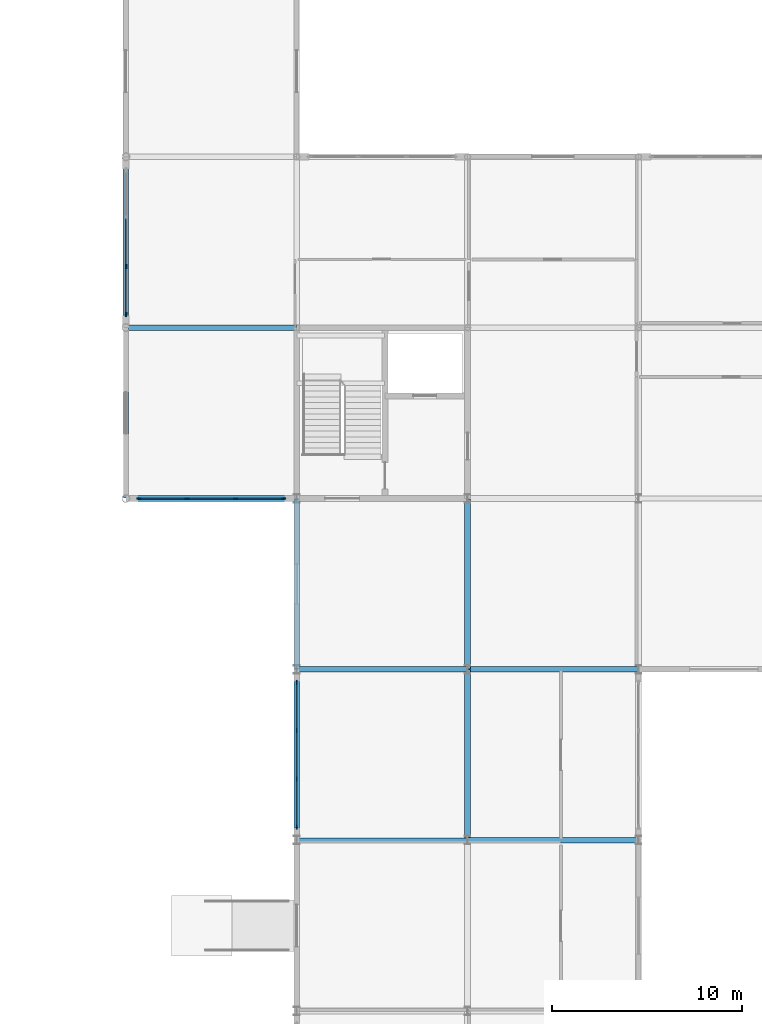
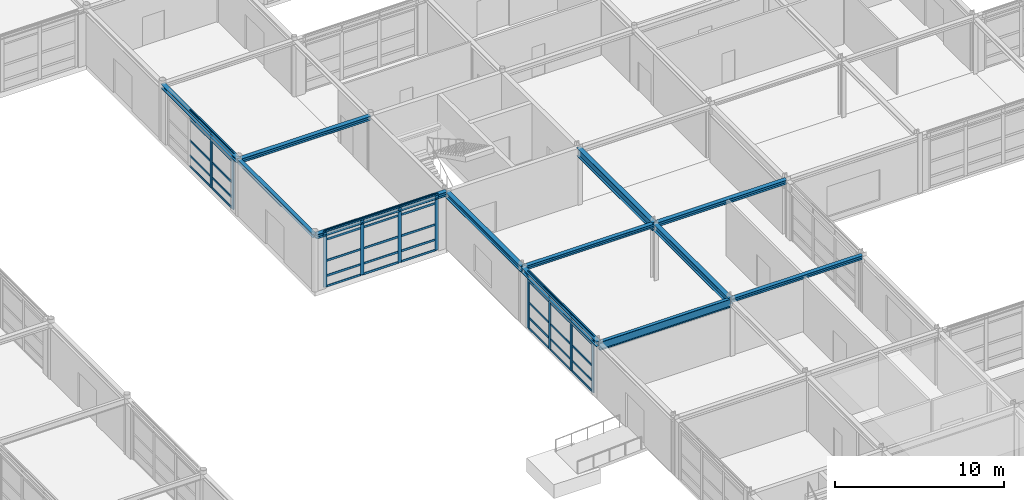
# One storey, part 28 of 72: 50 members, 12 beams, 3 elements without a shape of their own.
"""IFC4 building model written with IfcOpenShell, lengths in metres."""

from ifc_helpers import new_model, si_unit, direction, frame, origin, origin_2d, place, context, subcontext, project, spatial, rectangle, i_section, extrude, material, material_profile, profile_set, type_object, element, aggregate, save


model = new_model("IFC4")

# Units and contexts
model_context = context("Model", 3, precision=1e-05, world=origin(), true_north=direction((0.0, 1.0)))
body_context = subcontext(model_context, "Body", "Model", "MODEL_VIEW")
ifc_project = project(units=[si_unit("LENGTHUNIT", "METRE"), si_unit("AREAUNIT", "SQUARE_METRE"), si_unit("VOLUMEUNIT", "CUBIC_METRE"), si_unit("PLANEANGLEUNIT", "RADIAN"), si_unit("MASSUNIT", "GRAM", prefix="KILO")], contexts=[model_context])

# Site, building, storey
site_placement = place(None, origin())
site = spatial("IfcSite", under=ifc_project, at=site_placement, CompositionType="ELEMENT")
building_placement = place(site_placement, origin())
building = spatial("IfcBuilding", under=site, at=building_placement, Name="Palais des Congres Ocreval", CompositionType="ELEMENT")
storey_placement = place(building_placement, origin())
storey = spatial("IfcBuildingStorey", under=building, at=storey_placement, Name="L00", CompositionType="ELEMENT", Elevation=0.0)

# Beam
ifc_material_1 = material(Name="Steel S355", Category="steel")
ifc_material_profile_1 = material_profile(ifc_material_1, i_section(OverallWidth=0.219970703125, OverallDepth=0.60009765625, WebThickness=0.011962890625, FlangeThickness=0.01904296875, at=origin_2d()), Name="IPE 600")
ifc_profile_set_1 = profile_set([ifc_material_profile_1], Name="Steel S355")
beam_type_1 = type_object("IfcBeamType", Name="Composite Beam IPE 600 Steel S355", PredefinedType="BEAM", material=ifc_profile_set_1)
beam_1_placement = place(storey_placement, frame((108.02001953125, 27.0, 3.7548828125), z_axis=(1.0, 0.0, 0.0), x_axis=(0.0, 1.0, 0.0)))
element("IfcBeam", 1, at=beam_1_placement, inside=storey, type_object=beam_type_1, Name="Beam B06 L00", PredefinedType="BEAM", context=body_context, shape_type="SweptSolid", body=[
    extrude(i_section(OverallWidth=0.219970703125, OverallDepth=0.60009765625, WebThickness=0.011962890625, FlangeThickness=0.01904296875, at=origin_2d()), origin(), (0.0, 0.0, 1.0), 8.9599609375),
])

# Curtain wall, members
ifc_material_2 = material(Name="Anodized bronze aluminium and low-E glass", Category="glass")
curtain_wall_type = type_object("IfcCurtainWallType", Name="Unitised Curtain Wall 7900x4060", PredefinedType="USERDEFINED", material=ifc_material_2)
curtain_wall_1_placement = place(storey_placement, origin())
curtain_wall_1 = element("IfcCurtainWall", 2, at=curtain_wall_1_placement, inside=storey, type_object=curtain_wall_type, Name="Unitised Curtain Wall CW01 L00", ObjectType="UNITISED CURTAIN WALL", PredefinedType="USERDEFINED")
ifc_material_3 = material(Name="Anodized bronze aluminium", Category="aluminium")
ifc_material_profile_2 = material_profile(ifc_material_3, rectangle(XDim=0.074951171875, YDim=0.239990234375, at=origin_2d()), Name="ALU 75x240")
ifc_profile_set_2 = profile_set([ifc_material_profile_2], Name="Anodized bronze aluminium")
member_type_1 = type_object("IfcMemberType", Name="Curtain Wall Mullion ALU 75x240", PredefinedType="MULLION", material=ifc_profile_set_2)
member_1_placement = place(storey_placement, frame((108.0, 27.6875, 0.0), z_axis=(0.0, 0.0, 1.0), x_axis=(-1.0, 0.0, 0.0)))
member_1 = element("IfcMember", 3, at=member_1_placement, type_object=member_type_1, Name="Curtain Wall Mullion ML01", PredefinedType="MULLION", context=body_context, shape_type="SweptSolid", body=[
    extrude(rectangle(XDim=0.074951171875, YDim=0.239990234375, at=origin_2d()), origin(), (0.0, 0.0, 1.0), 4.054931640625),
])
member_2_placement = place(storey_placement, frame((108.0, 30.216796875, 0.0), z_axis=(0.0, 0.0, 1.0), x_axis=(-1.0, 0.0, 0.0)))
member_2 = element("IfcMember", 4, at=member_2_placement, type_object=member_type_1, Name="Curtain Wall Mullion ML01", PredefinedType="MULLION", context=body_context, shape_type="SweptSolid", body=[
    extrude(rectangle(XDim=0.074951171875, YDim=0.239990234375, at=origin_2d()), origin(), (0.0, 0.0, 1.0), 4.054931640625),
])
member_3_placement = place(storey_placement, frame((108.0, 32.783203125, 0.0), z_axis=(0.0, 0.0, 1.0), x_axis=(-1.0, 0.0, 0.0)))
member_3 = element("IfcMember", 5, at=member_3_placement, type_object=member_type_1, Name="Curtain Wall Mullion ML01", PredefinedType="MULLION", context=body_context, shape_type="SweptSolid", body=[
    extrude(rectangle(XDim=0.074951171875, YDim=0.239990234375, at=origin_2d()), origin(), (0.0, 0.0, 1.0), 4.054931640625),
])
member_4_placement = place(storey_placement, frame((108.0, 35.3125, 0.0), z_axis=(0.0, 0.0, 1.0), x_axis=(-1.0, 0.0, 0.0)))
member_4 = element("IfcMember", 6, at=member_4_placement, type_object=member_type_1, Name="Curtain Wall Mullion ML01", PredefinedType="MULLION", context=body_context, shape_type="SweptSolid", body=[
    extrude(rectangle(XDim=0.074951171875, YDim=0.239990234375, at=origin_2d()), origin(), (0.0, 0.0, 1.0), 4.054931640625),
])

curtain_wall_2_placement = place(storey_placement, origin())
curtain_wall_2 = element("IfcCurtainWall", 7, at=curtain_wall_2_placement, inside=storey, type_object=curtain_wall_type, Name="Unitised Curtain Wall CW01 L00", ObjectType="UNITISED CURTAIN WALL", PredefinedType="USERDEFINED")
member_5_placement = place(storey_placement, frame((107.3125, 45.0, 0.0), z_axis=(0.0, 0.0, 1.0), x_axis=(0.0, -1.0, 0.0)))
member_5 = element("IfcMember", 8, at=member_5_placement, type_object=member_type_1, Name="Curtain Wall Mullion ML01", PredefinedType="MULLION", context=body_context, shape_type="SweptSolid", body=[
    extrude(rectangle(XDim=0.074951171875, YDim=0.239990234375, at=origin_2d()), origin(), (0.0, 0.0, 1.0), 4.054931640625),
])
member_6_placement = place(storey_placement, frame((104.783203125, 45.0, 0.0), z_axis=(0.0, 0.0, 1.0), x_axis=(0.0, -1.0, 0.0)))
member_6 = element("IfcMember", 9, at=member_6_placement, type_object=member_type_1, Name="Curtain Wall Mullion ML01", PredefinedType="MULLION", context=body_context, shape_type="SweptSolid", body=[
    extrude(rectangle(XDim=0.074951171875, YDim=0.239990234375, at=origin_2d()), origin(), (0.0, 0.0, 1.0), 4.054931640625),
])
member_7_placement = place(storey_placement, frame((102.216796875, 45.0, 0.0), z_axis=(0.0, 0.0, 1.0), x_axis=(0.0, -1.0, 0.0)))
member_7 = element("IfcMember", 10, at=member_7_placement, type_object=member_type_1, Name="Curtain Wall Mullion ML01", PredefinedType="MULLION", context=body_context, shape_type="SweptSolid", body=[
    extrude(rectangle(XDim=0.074951171875, YDim=0.239990234375, at=origin_2d()), origin(), (0.0, 0.0, 1.0), 4.054931640625),
])
member_8_placement = place(storey_placement, frame((99.6875, 45.0, 0.0), z_axis=(0.0, 0.0, 1.0), x_axis=(0.0, -1.0, 0.0)))
member_8 = element("IfcMember", 11, at=member_8_placement, type_object=member_type_1, Name="Curtain Wall Mullion ML01", PredefinedType="MULLION", context=body_context, shape_type="SweptSolid", body=[
    extrude(rectangle(XDim=0.074951171875, YDim=0.239990234375, at=origin_2d()), origin(), (0.0, 0.0, 1.0), 4.054931640625),
])

curtain_wall_3_placement = place(storey_placement, origin())
curtain_wall_3 = element("IfcCurtainWall", 12, at=curtain_wall_3_placement, inside=storey, type_object=curtain_wall_type, Name="Unitised Curtain Wall CW01 L00", ObjectType="UNITISED CURTAIN WALL", PredefinedType="USERDEFINED")
member_9_placement = place(storey_placement, frame((99.0, 54.6875, 0.0), z_axis=(0.0, 0.0, 1.0), x_axis=(-1.0, 0.0, 0.0)))
member_9 = element("IfcMember", 13, at=member_9_placement, type_object=member_type_1, Name="Curtain Wall Mullion ML01", PredefinedType="MULLION", context=body_context, shape_type="SweptSolid", body=[
    extrude(rectangle(XDim=0.074951171875, YDim=0.239990234375, at=origin_2d()), origin(), (0.0, 0.0, 1.0), 4.054931640625),
])
member_10_placement = place(storey_placement, frame((99.0, 57.216796875, 0.0), z_axis=(0.0, 0.0, 1.0), x_axis=(-1.0, 0.0, 0.0)))
member_10 = element("IfcMember", 14, at=member_10_placement, type_object=member_type_1, Name="Curtain Wall Mullion ML01", PredefinedType="MULLION", context=body_context, shape_type="SweptSolid", body=[
    extrude(rectangle(XDim=0.074951171875, YDim=0.239990234375, at=origin_2d()), origin(), (0.0, 0.0, 1.0), 4.054931640625),
])

# Member
ifc_material_profile_3 = material_profile(ifc_material_3, rectangle(XDim=0.06005859375, YDim=0.14990234375, at=origin_2d()), Name="ALU 60x150")
ifc_profile_set_3 = profile_set([ifc_material_profile_3], Name="Anodized bronze aluminium")
member_type_2 = type_object("IfcMemberType", Name="Curtain Wall Transom ALU 60x150", PredefinedType="USERDEFINED", material=ifc_profile_set_3)
member_11_placement = place(storey_placement, frame((108.0, 27.72509765625, 0.030029296875), z_axis=(0.0, 1.0, 0.0), x_axis=(-1.0, 0.0, 0.0)))
member_11 = element("IfcMember", 15, at=member_11_placement, type_object=member_type_2, Name="Curtain Wall Transom TR01", ObjectType="TRANSOM", PredefinedType="USERDEFINED", context=body_context, shape_type="SweptSolid", body=[
    extrude(rectangle(XDim=0.06005859375, YDim=0.14990234375, at=origin_2d()), origin(), (0.0, 0.0, 1.0), 2.4541015625),
])

member_12_placement = place(storey_placement, frame((108.0, 27.72509765625, 0.780029296875), z_axis=(0.0, 1.0, 0.0), x_axis=(-1.0, 0.0, 0.0)))
member_12 = element("IfcMember", 16, at=member_12_placement, type_object=member_type_2, Name="Curtain Wall Transom TR01", ObjectType="TRANSOM", PredefinedType="USERDEFINED", context=body_context, shape_type="SweptSolid", body=[
    extrude(rectangle(XDim=0.06005859375, YDim=0.14990234375, at=origin_2d()), origin(), (0.0, 0.0, 1.0), 2.4541015625),
])

member_13_placement = place(storey_placement, frame((108.0, 27.72509765625, 1.872802734375), z_axis=(0.0, 1.0, 0.0), x_axis=(-1.0, 0.0, 0.0)))
member_13 = element("IfcMember", 17, at=member_13_placement, type_object=member_type_2, Name="Curtain Wall Transom TR01", ObjectType="TRANSOM", PredefinedType="USERDEFINED", context=body_context, shape_type="SweptSolid", body=[
    extrude(rectangle(XDim=0.06005859375, YDim=0.14990234375, at=origin_2d()), origin(), (0.0, 0.0, 1.0), 2.4541015625),
])

member_14_placement = place(storey_placement, frame((108.0, 27.72509765625, 3.405029296875), z_axis=(0.0, 1.0, 0.0), x_axis=(-1.0, 0.0, 0.0)))
member_14 = element("IfcMember", 18, at=member_14_placement, type_object=member_type_2, Name="Curtain Wall Transom TR01", ObjectType="TRANSOM", PredefinedType="USERDEFINED", context=body_context, shape_type="SweptSolid", body=[
    extrude(rectangle(XDim=0.06005859375, YDim=0.14990234375, at=origin_2d()), origin(), (0.0, 0.0, 1.0), 2.4541015625),
])

member_15_placement = place(storey_placement, frame((108.0, 27.72509765625, 4.02490234375), z_axis=(0.0, 1.0, 0.0), x_axis=(-1.0, 0.0, 0.0)))
member_15 = element("IfcMember", 19, at=member_15_placement, type_object=member_type_2, Name="Curtain Wall Transom TR01", ObjectType="TRANSOM", PredefinedType="USERDEFINED", context=body_context, shape_type="SweptSolid", body=[
    extrude(rectangle(XDim=0.06005859375, YDim=0.14990234375, at=origin_2d()), origin(), (0.0, 0.0, 1.0), 2.4541015625),
])

member_16_placement = place(storey_placement, frame((108.0, 30.254150390625, 0.030029296875), z_axis=(0.0, 1.0, 0.0), x_axis=(-1.0, 0.0, 0.0)))
member_16 = element("IfcMember", 20, at=member_16_placement, type_object=member_type_2, Name="Curtain Wall Transom TR01", ObjectType="TRANSOM", PredefinedType="USERDEFINED", context=body_context, shape_type="SweptSolid", body=[
    extrude(rectangle(XDim=0.06005859375, YDim=0.14990234375, at=origin_2d()), origin(), (0.0, 0.0, 1.0), 2.49169921875),
])

member_17_placement = place(storey_placement, frame((108.0, 30.254150390625, 0.780029296875), z_axis=(0.0, 1.0, 0.0), x_axis=(-1.0, 0.0, 0.0)))
member_17 = element("IfcMember", 21, at=member_17_placement, type_object=member_type_2, Name="Curtain Wall Transom TR01", ObjectType="TRANSOM", PredefinedType="USERDEFINED", context=body_context, shape_type="SweptSolid", body=[
    extrude(rectangle(XDim=0.06005859375, YDim=0.14990234375, at=origin_2d()), origin(), (0.0, 0.0, 1.0), 2.49169921875),
])

member_18_placement = place(storey_placement, frame((108.0, 30.254150390625, 1.872802734375), z_axis=(0.0, 1.0, 0.0), x_axis=(-1.0, 0.0, 0.0)))
member_18 = element("IfcMember", 22, at=member_18_placement, type_object=member_type_2, Name="Curtain Wall Transom TR01", ObjectType="TRANSOM", PredefinedType="USERDEFINED", context=body_context, shape_type="SweptSolid", body=[
    extrude(rectangle(XDim=0.06005859375, YDim=0.14990234375, at=origin_2d()), origin(), (0.0, 0.0, 1.0), 2.49169921875),
])

member_19_placement = place(storey_placement, frame((108.0, 30.254150390625, 3.405029296875), z_axis=(0.0, 1.0, 0.0), x_axis=(-1.0, 0.0, 0.0)))
member_19 = element("IfcMember", 23, at=member_19_placement, type_object=member_type_2, Name="Curtain Wall Transom TR01", ObjectType="TRANSOM", PredefinedType="USERDEFINED", context=body_context, shape_type="SweptSolid", body=[
    extrude(rectangle(XDim=0.06005859375, YDim=0.14990234375, at=origin_2d()), origin(), (0.0, 0.0, 1.0), 2.49169921875),
])

member_20_placement = place(storey_placement, frame((108.0, 30.254150390625, 4.02490234375), z_axis=(0.0, 1.0, 0.0), x_axis=(-1.0, 0.0, 0.0)))
member_20 = element("IfcMember", 24, at=member_20_placement, type_object=member_type_2, Name="Curtain Wall Transom TR01", ObjectType="TRANSOM", PredefinedType="USERDEFINED", context=body_context, shape_type="SweptSolid", body=[
    extrude(rectangle(XDim=0.06005859375, YDim=0.14990234375, at=origin_2d()), origin(), (0.0, 0.0, 1.0), 2.49169921875),
])

member_21_placement = place(storey_placement, frame((108.0, 32.82080078125, 0.030029296875), z_axis=(0.0, 1.0, 0.0), x_axis=(-1.0, 0.0, 0.0)))
member_21 = element("IfcMember", 25, at=member_21_placement, type_object=member_type_2, Name="Curtain Wall Transom TR01", ObjectType="TRANSOM", PredefinedType="USERDEFINED", context=body_context, shape_type="SweptSolid", body=[
    extrude(rectangle(XDim=0.06005859375, YDim=0.14990234375, at=origin_2d()), origin(), (0.0, 0.0, 1.0), 2.4541015625),
])

member_22_placement = place(storey_placement, frame((108.0, 32.82080078125, 0.780029296875), z_axis=(0.0, 1.0, 0.0), x_axis=(-1.0, 0.0, 0.0)))
member_22 = element("IfcMember", 26, at=member_22_placement, type_object=member_type_2, Name="Curtain Wall Transom TR01", ObjectType="TRANSOM", PredefinedType="USERDEFINED", context=body_context, shape_type="SweptSolid", body=[
    extrude(rectangle(XDim=0.06005859375, YDim=0.14990234375, at=origin_2d()), origin(), (0.0, 0.0, 1.0), 2.4541015625),
])

member_23_placement = place(storey_placement, frame((108.0, 32.82080078125, 1.872802734375), z_axis=(0.0, 1.0, 0.0), x_axis=(-1.0, 0.0, 0.0)))
member_23 = element("IfcMember", 27, at=member_23_placement, type_object=member_type_2, Name="Curtain Wall Transom TR01", ObjectType="TRANSOM", PredefinedType="USERDEFINED", context=body_context, shape_type="SweptSolid", body=[
    extrude(rectangle(XDim=0.06005859375, YDim=0.14990234375, at=origin_2d()), origin(), (0.0, 0.0, 1.0), 2.4541015625),
])

member_24_placement = place(storey_placement, frame((108.0, 32.82080078125, 3.405029296875), z_axis=(0.0, 1.0, 0.0), x_axis=(-1.0, 0.0, 0.0)))
member_24 = element("IfcMember", 28, at=member_24_placement, type_object=member_type_2, Name="Curtain Wall Transom TR01", ObjectType="TRANSOM", PredefinedType="USERDEFINED", context=body_context, shape_type="SweptSolid", body=[
    extrude(rectangle(XDim=0.06005859375, YDim=0.14990234375, at=origin_2d()), origin(), (0.0, 0.0, 1.0), 2.4541015625),
])

member_25_placement = place(storey_placement, frame((108.0, 32.82080078125, 4.02490234375), z_axis=(0.0, 1.0, 0.0), x_axis=(-1.0, 0.0, 0.0)))
member_25 = element("IfcMember", 29, at=member_25_placement, type_object=member_type_2, Name="Curtain Wall Transom TR01", ObjectType="TRANSOM", PredefinedType="USERDEFINED", context=body_context, shape_type="SweptSolid", body=[
    extrude(rectangle(XDim=0.06005859375, YDim=0.14990234375, at=origin_2d()), origin(), (0.0, 0.0, 1.0), 2.4541015625),
])

aggregate(curtain_wall_1, [member_1, member_2, member_3, member_4, member_11, member_12, member_13, member_14, member_15, member_16, member_17, member_18, member_19, member_20, member_21, member_22, member_23, member_24, member_25])

member_26_placement = place(storey_placement, frame((107.27490234375, 45.0, 0.030029296875), z_axis=(-1.0, 0.0, 0.0), x_axis=(0.0, -1.0, 0.0)))
member_26 = element("IfcMember", 30, at=member_26_placement, type_object=member_type_2, Name="Curtain Wall Transom TR01", ObjectType="TRANSOM", PredefinedType="USERDEFINED", context=body_context, shape_type="SweptSolid", body=[
    extrude(rectangle(XDim=0.06005859375, YDim=0.14990234375, at=origin_2d()), origin(), (0.0, 0.0, 1.0), 2.4541015625),
])

member_27_placement = place(storey_placement, frame((107.27490234375, 45.0, 0.780029296875), z_axis=(-1.0, 0.0, 0.0), x_axis=(0.0, -1.0, 0.0)))
member_27 = element("IfcMember", 31, at=member_27_placement, type_object=member_type_2, Name="Curtain Wall Transom TR01", ObjectType="TRANSOM", PredefinedType="USERDEFINED", context=body_context, shape_type="SweptSolid", body=[
    extrude(rectangle(XDim=0.06005859375, YDim=0.14990234375, at=origin_2d()), origin(), (0.0, 0.0, 1.0), 2.4541015625),
])

member_28_placement = place(storey_placement, frame((107.27490234375, 45.0, 1.872802734375), z_axis=(-1.0, 0.0, 0.0), x_axis=(0.0, -1.0, 0.0)))
member_28 = element("IfcMember", 32, at=member_28_placement, type_object=member_type_2, Name="Curtain Wall Transom TR01", ObjectType="TRANSOM", PredefinedType="USERDEFINED", context=body_context, shape_type="SweptSolid", body=[
    extrude(rectangle(XDim=0.06005859375, YDim=0.14990234375, at=origin_2d()), origin(), (0.0, 0.0, 1.0), 2.4541015625),
])

member_29_placement = place(storey_placement, frame((107.27490234375, 45.0, 3.405029296875), z_axis=(-1.0, 0.0, 0.0), x_axis=(0.0, -1.0, 0.0)))
member_29 = element("IfcMember", 33, at=member_29_placement, type_object=member_type_2, Name="Curtain Wall Transom TR01", ObjectType="TRANSOM", PredefinedType="USERDEFINED", context=body_context, shape_type="SweptSolid", body=[
    extrude(rectangle(XDim=0.06005859375, YDim=0.14990234375, at=origin_2d()), origin(), (0.0, 0.0, 1.0), 2.4541015625),
])

member_30_placement = place(storey_placement, frame((107.27490234375, 45.0, 4.02490234375), z_axis=(-1.0, 0.0, 0.0), x_axis=(0.0, -1.0, 0.0)))
member_30 = element("IfcMember", 34, at=member_30_placement, type_object=member_type_2, Name="Curtain Wall Transom TR01", ObjectType="TRANSOM", PredefinedType="USERDEFINED", context=body_context, shape_type="SweptSolid", body=[
    extrude(rectangle(XDim=0.06005859375, YDim=0.14990234375, at=origin_2d()), origin(), (0.0, 0.0, 1.0), 2.4541015625),
])

member_31_placement = place(storey_placement, frame((104.745849609375, 45.0, 0.030029296875), z_axis=(-1.0, 0.0, 0.0), x_axis=(0.0, -1.0, 0.0)))
member_31 = element("IfcMember", 35, at=member_31_placement, type_object=member_type_2, Name="Curtain Wall Transom TR01", ObjectType="TRANSOM", PredefinedType="USERDEFINED", context=body_context, shape_type="SweptSolid", body=[
    extrude(rectangle(XDim=0.06005859375, YDim=0.14990234375, at=origin_2d()), origin(), (0.0, 0.0, 1.0), 2.49169921875),
])

member_32_placement = place(storey_placement, frame((104.745849609375, 45.0, 0.780029296875), z_axis=(-1.0, 0.0, 0.0), x_axis=(0.0, -1.0, 0.0)))
member_32 = element("IfcMember", 36, at=member_32_placement, type_object=member_type_2, Name="Curtain Wall Transom TR01", ObjectType="TRANSOM", PredefinedType="USERDEFINED", context=body_context, shape_type="SweptSolid", body=[
    extrude(rectangle(XDim=0.06005859375, YDim=0.14990234375, at=origin_2d()), origin(), (0.0, 0.0, 1.0), 2.49169921875),
])

member_33_placement = place(storey_placement, frame((104.745849609375, 45.0, 1.872802734375), z_axis=(-1.0, 0.0, 0.0), x_axis=(0.0, -1.0, 0.0)))
member_33 = element("IfcMember", 37, at=member_33_placement, type_object=member_type_2, Name="Curtain Wall Transom TR01", ObjectType="TRANSOM", PredefinedType="USERDEFINED", context=body_context, shape_type="SweptSolid", body=[
    extrude(rectangle(XDim=0.06005859375, YDim=0.14990234375, at=origin_2d()), origin(), (0.0, 0.0, 1.0), 2.49169921875),
])

member_34_placement = place(storey_placement, frame((104.745849609375, 45.0, 3.405029296875), z_axis=(-1.0, 0.0, 0.0), x_axis=(0.0, -1.0, 0.0)))
member_34 = element("IfcMember", 38, at=member_34_placement, type_object=member_type_2, Name="Curtain Wall Transom TR01", ObjectType="TRANSOM", PredefinedType="USERDEFINED", context=body_context, shape_type="SweptSolid", body=[
    extrude(rectangle(XDim=0.06005859375, YDim=0.14990234375, at=origin_2d()), origin(), (0.0, 0.0, 1.0), 2.49169921875),
])

member_35_placement = place(storey_placement, frame((104.745849609375, 45.0, 4.02490234375), z_axis=(-1.0, 0.0, 0.0), x_axis=(0.0, -1.0, 0.0)))
member_35 = element("IfcMember", 39, at=member_35_placement, type_object=member_type_2, Name="Curtain Wall Transom TR01", ObjectType="TRANSOM", PredefinedType="USERDEFINED", context=body_context, shape_type="SweptSolid", body=[
    extrude(rectangle(XDim=0.06005859375, YDim=0.14990234375, at=origin_2d()), origin(), (0.0, 0.0, 1.0), 2.49169921875),
])

member_36_placement = place(storey_placement, frame((102.17919921875, 45.0, 0.030029296875), z_axis=(-1.0, 0.0, 0.0), x_axis=(0.0, -1.0, 0.0)))
member_36 = element("IfcMember", 40, at=member_36_placement, type_object=member_type_2, Name="Curtain Wall Transom TR01", ObjectType="TRANSOM", PredefinedType="USERDEFINED", context=body_context, shape_type="SweptSolid", body=[
    extrude(rectangle(XDim=0.06005859375, YDim=0.14990234375, at=origin_2d()), origin(), (0.0, 0.0, 1.0), 2.4541015625),
])

member_37_placement = place(storey_placement, frame((102.17919921875, 45.0, 0.780029296875), z_axis=(-1.0, 0.0, 0.0), x_axis=(0.0, -1.0, 0.0)))
member_37 = element("IfcMember", 41, at=member_37_placement, type_object=member_type_2, Name="Curtain Wall Transom TR01", ObjectType="TRANSOM", PredefinedType="USERDEFINED", context=body_context, shape_type="SweptSolid", body=[
    extrude(rectangle(XDim=0.06005859375, YDim=0.14990234375, at=origin_2d()), origin(), (0.0, 0.0, 1.0), 2.4541015625),
])

member_38_placement = place(storey_placement, frame((102.17919921875, 45.0, 1.872802734375), z_axis=(-1.0, 0.0, 0.0), x_axis=(0.0, -1.0, 0.0)))
member_38 = element("IfcMember", 42, at=member_38_placement, type_object=member_type_2, Name="Curtain Wall Transom TR01", ObjectType="TRANSOM", PredefinedType="USERDEFINED", context=body_context, shape_type="SweptSolid", body=[
    extrude(rectangle(XDim=0.06005859375, YDim=0.14990234375, at=origin_2d()), origin(), (0.0, 0.0, 1.0), 2.4541015625),
])

member_39_placement = place(storey_placement, frame((102.17919921875, 45.0, 3.405029296875), z_axis=(-1.0, 0.0, 0.0), x_axis=(0.0, -1.0, 0.0)))
member_39 = element("IfcMember", 43, at=member_39_placement, type_object=member_type_2, Name="Curtain Wall Transom TR01", ObjectType="TRANSOM", PredefinedType="USERDEFINED", context=body_context, shape_type="SweptSolid", body=[
    extrude(rectangle(XDim=0.06005859375, YDim=0.14990234375, at=origin_2d()), origin(), (0.0, 0.0, 1.0), 2.4541015625),
])

member_40_placement = place(storey_placement, frame((102.17919921875, 45.0, 4.02490234375), z_axis=(-1.0, 0.0, 0.0), x_axis=(0.0, -1.0, 0.0)))
member_40 = element("IfcMember", 44, at=member_40_placement, type_object=member_type_2, Name="Curtain Wall Transom TR01", ObjectType="TRANSOM", PredefinedType="USERDEFINED", context=body_context, shape_type="SweptSolid", body=[
    extrude(rectangle(XDim=0.06005859375, YDim=0.14990234375, at=origin_2d()), origin(), (0.0, 0.0, 1.0), 2.4541015625),
])

aggregate(curtain_wall_2, [member_5, member_6, member_7, member_8, member_26, member_27, member_28, member_29, member_30, member_31, member_32, member_33, member_34, member_35, member_36, member_37, member_38, member_39, member_40])

member_41_placement = place(storey_placement, frame((99.0, 54.72509765625, 0.030029296875), z_axis=(0.0, 1.0, 0.0), x_axis=(-1.0, 0.0, 0.0)))
member_41 = element("IfcMember", 45, at=member_41_placement, type_object=member_type_2, Name="Curtain Wall Transom TR01", ObjectType="TRANSOM", PredefinedType="USERDEFINED", context=body_context, shape_type="SweptSolid", body=[
    extrude(rectangle(XDim=0.06005859375, YDim=0.14990234375, at=origin_2d()), origin(), (0.0, 0.0, 1.0), 2.4541015625),
])

member_42_placement = place(storey_placement, frame((99.0, 54.72509765625, 0.780029296875), z_axis=(0.0, 1.0, 0.0), x_axis=(-1.0, 0.0, 0.0)))
member_42 = element("IfcMember", 46, at=member_42_placement, type_object=member_type_2, Name="Curtain Wall Transom TR01", ObjectType="TRANSOM", PredefinedType="USERDEFINED", context=body_context, shape_type="SweptSolid", body=[
    extrude(rectangle(XDim=0.06005859375, YDim=0.14990234375, at=origin_2d()), origin(), (0.0, 0.0, 1.0), 2.4541015625),
])

member_43_placement = place(storey_placement, frame((99.0, 54.72509765625, 1.872802734375), z_axis=(0.0, 1.0, 0.0), x_axis=(-1.0, 0.0, 0.0)))
member_43 = element("IfcMember", 47, at=member_43_placement, type_object=member_type_2, Name="Curtain Wall Transom TR01", ObjectType="TRANSOM", PredefinedType="USERDEFINED", context=body_context, shape_type="SweptSolid", body=[
    extrude(rectangle(XDim=0.06005859375, YDim=0.14990234375, at=origin_2d()), origin(), (0.0, 0.0, 1.0), 2.4541015625),
])

member_44_placement = place(storey_placement, frame((99.0, 54.72509765625, 3.405029296875), z_axis=(0.0, 1.0, 0.0), x_axis=(-1.0, 0.0, 0.0)))
member_44 = element("IfcMember", 48, at=member_44_placement, type_object=member_type_2, Name="Curtain Wall Transom TR01", ObjectType="TRANSOM", PredefinedType="USERDEFINED", context=body_context, shape_type="SweptSolid", body=[
    extrude(rectangle(XDim=0.06005859375, YDim=0.14990234375, at=origin_2d()), origin(), (0.0, 0.0, 1.0), 2.4541015625),
])

member_45_placement = place(storey_placement, frame((99.0, 54.72509765625, 4.02490234375), z_axis=(0.0, 1.0, 0.0), x_axis=(-1.0, 0.0, 0.0)))
member_45 = element("IfcMember", 49, at=member_45_placement, type_object=member_type_2, Name="Curtain Wall Transom TR01", ObjectType="TRANSOM", PredefinedType="USERDEFINED", context=body_context, shape_type="SweptSolid", body=[
    extrude(rectangle(XDim=0.06005859375, YDim=0.14990234375, at=origin_2d()), origin(), (0.0, 0.0, 1.0), 2.4541015625),
])

member_46_placement = place(storey_placement, frame((99.0, 57.254150390625, 0.030029296875), z_axis=(0.0, 1.0, 0.0), x_axis=(-1.0, 0.0, 0.0)))
member_46 = element("IfcMember", 50, at=member_46_placement, type_object=member_type_2, Name="Curtain Wall Transom TR01", ObjectType="TRANSOM", PredefinedType="USERDEFINED", context=body_context, shape_type="SweptSolid", body=[
    extrude(rectangle(XDim=0.06005859375, YDim=0.14990234375, at=origin_2d()), origin(), (0.0, 0.0, 1.0), 2.49169921875),
])

member_47_placement = place(storey_placement, frame((99.0, 57.254150390625, 0.780029296875), z_axis=(0.0, 1.0, 0.0), x_axis=(-1.0, 0.0, 0.0)))
member_47 = element("IfcMember", 51, at=member_47_placement, type_object=member_type_2, Name="Curtain Wall Transom TR01", ObjectType="TRANSOM", PredefinedType="USERDEFINED", context=body_context, shape_type="SweptSolid", body=[
    extrude(rectangle(XDim=0.06005859375, YDim=0.14990234375, at=origin_2d()), origin(), (0.0, 0.0, 1.0), 2.49169921875),
])

member_48_placement = place(storey_placement, frame((99.0, 57.254150390625, 1.872802734375), z_axis=(0.0, 1.0, 0.0), x_axis=(-1.0, 0.0, 0.0)))
member_48 = element("IfcMember", 52, at=member_48_placement, type_object=member_type_2, Name="Curtain Wall Transom TR01", ObjectType="TRANSOM", PredefinedType="USERDEFINED", context=body_context, shape_type="SweptSolid", body=[
    extrude(rectangle(XDim=0.06005859375, YDim=0.14990234375, at=origin_2d()), origin(), (0.0, 0.0, 1.0), 2.49169921875),
])

member_49_placement = place(storey_placement, frame((99.0, 57.254150390625, 3.405029296875), z_axis=(0.0, 1.0, 0.0), x_axis=(-1.0, 0.0, 0.0)))
member_49 = element("IfcMember", 53, at=member_49_placement, type_object=member_type_2, Name="Curtain Wall Transom TR01", ObjectType="TRANSOM", PredefinedType="USERDEFINED", context=body_context, shape_type="SweptSolid", body=[
    extrude(rectangle(XDim=0.06005859375, YDim=0.14990234375, at=origin_2d()), origin(), (0.0, 0.0, 1.0), 2.49169921875),
])

member_50_placement = place(storey_placement, frame((99.0, 57.254150390625, 4.02490234375), z_axis=(0.0, 1.0, 0.0), x_axis=(-1.0, 0.0, 0.0)))
member_50 = element("IfcMember", 54, at=member_50_placement, type_object=member_type_2, Name="Curtain Wall Transom TR01", ObjectType="TRANSOM", PredefinedType="USERDEFINED", context=body_context, shape_type="SweptSolid", body=[
    extrude(rectangle(XDim=0.06005859375, YDim=0.14990234375, at=origin_2d()), origin(), (0.0, 0.0, 1.0), 2.49169921875),
])

aggregate(curtain_wall_3, [member_9, member_10, member_41, member_42, member_43, member_44, member_45, member_46, member_47, member_48, member_49, member_50])

# Beams
ifc_material_profile_4 = material_profile(ifc_material_1, i_section(OverallWidth=0.260009765625, OverallDepth=0.260009765625, WebThickness=0.010009765625, FlangeThickness=0.017578125, at=origin_2d()), Name="HEB 260")
ifc_profile_set_4 = profile_set([ifc_material_profile_4], Name="Steel S355")
beam_type_2 = type_object("IfcBeamType", Name="Opening Lintel HEB 260 Steel S355", PredefinedType="LINTEL", material=ifc_profile_set_4)
beam_2_placement = place(storey_placement, frame((99.0, 45.02001953125, 3.925048828125), z_axis=(0.0, 1.0, 0.0), x_axis=(-1.0, 0.0, 0.0)))
element("IfcBeam", 55, at=beam_2_placement, inside=storey, type_object=beam_type_2, Name="Girder LN01 L00", PredefinedType="LINTEL", context=body_context, shape_type="SweptSolid", body=[
    extrude(i_section(OverallWidth=0.260009765625, OverallDepth=0.260009765625, WebThickness=0.010009765625, FlangeThickness=0.017578125, at=origin_2d()), origin(), (0.0, 0.0, 1.0), 8.9599609375),
])
ifc_material_profile_5 = material_profile(ifc_material_1, i_section(OverallWidth=0.300048828125, OverallDepth=0.300048828125, WebThickness=0.010986328125, FlangeThickness=0.01904296875, at=origin_2d()), Name="HEB 300")
ifc_profile_set_5 = profile_set([ifc_material_profile_5], Name="Steel S355")
beam_type_3 = type_object("IfcBeamType", Name="Perimeter Spandrel HEB 300 Steel S355", PredefinedType="SPANDREL", material=ifc_profile_set_5)
for number, where, z_axis, x_axis, name in (
    (56, (99.02001953125, 45.0, 3.905029296875), (1.0, 0.0, 0.0), (0.0, 1.0, 0.0), "Beam SP02 L00"),
    (57, (99.0, 54.02001953125, 3.905029296875), (0.0, 1.0, 0.0), (-1.0, 0.0, 0.0), "Girder SP02 L00"),
):
    element("IfcBeam", number, at=place(storey_placement, frame(where, z_axis=z_axis, x_axis=x_axis)), inside=storey, type_object=beam_type_3, Name=name, PredefinedType="SPANDREL", context=body_context, shape_type="SweptSolid", body=[
        extrude(i_section(OverallWidth=0.300048828125, OverallDepth=0.300048828125, WebThickness=0.010986328125, FlangeThickness=0.01904296875, at=origin_2d()), origin(), (0.0, 0.0, 1.0), 8.9599609375),
    ])
ifc_material_profile_6 = material_profile(ifc_material_1, i_section(OverallWidth=0.300048828125, OverallDepth=0.360107421875, WebThickness=0.012451171875, FlangeThickness=0.0224609375, at=origin_2d()), Name="HEB 360")
ifc_profile_set_6 = profile_set([ifc_material_profile_6], Name="Steel S355")
beam_type_4 = type_object("IfcBeamType", Name="Perimeter Spandrel HEB 360 Steel S355", PredefinedType="SPANDREL", material=ifc_profile_set_6)
beam_3_placement = place(storey_placement, frame((108.0, 27.02001953125, 3.875), z_axis=(0.0, 1.0, 0.0), x_axis=(-1.0, 0.0, 0.0)))
element("IfcBeam", 58, at=beam_3_placement, inside=storey, type_object=beam_type_4, Name="Girder SP03 L00", PredefinedType="SPANDREL", context=body_context, shape_type="SweptSolid", body=[
    extrude(i_section(OverallWidth=0.300048828125, OverallDepth=0.360107421875, WebThickness=0.012451171875, FlangeThickness=0.0224609375, at=origin_2d()), origin(), (0.0, 0.0, 1.0), 8.9599609375),
])
ifc_material_profile_7 = material_profile(ifc_material_1, i_section(OverallWidth=0.300048828125, OverallDepth=0.39990234375, WebThickness=0.013427734375, FlangeThickness=0.02392578125, at=origin_2d()), Name="HEB 400")
ifc_profile_set_7 = profile_set([ifc_material_profile_7], Name="Steel S355")
beam_type_5 = type_object("IfcBeamType", Name="Perimeter Spandrel HEB 400 Steel S355", PredefinedType="SPANDREL", material=ifc_profile_set_7)
beam_4_placement = place(storey_placement, frame((108.0, 36.02001953125, 3.85498046875), z_axis=(0.0, 1.0, 0.0), x_axis=(-1.0, 0.0, 0.0)))
element("IfcBeam", 59, at=beam_4_placement, inside=storey, type_object=beam_type_5, Name="Girder SP04 L00", PredefinedType="SPANDREL", context=body_context, shape_type="SweptSolid", body=[
    extrude(i_section(OverallWidth=0.300048828125, OverallDepth=0.39990234375, WebThickness=0.013427734375, FlangeThickness=0.02392578125, at=origin_2d()), origin(), (0.0, 0.0, 1.0), 8.9599609375),
])
ifc_material_profile_8 = material_profile(ifc_material_1, i_section(OverallWidth=0.280029296875, OverallDepth=0.27001953125, WebThickness=0.008056640625, FlangeThickness=0.012939453125, at=origin_2d()), Name="HEA 280")
ifc_profile_set_8 = profile_set([ifc_material_profile_8], Name="Steel S355")
beam_type_6 = type_object("IfcBeamType", Name="Primary Beam HEA 280 Steel S355", PredefinedType="BEAM", material=ifc_profile_set_8)
for number, where, z_axis, x_axis, name in (
    (60, (108.02001953125, 36.0, 3.919921875), (1.0, 0.0, 0.0), (0.0, 1.0, 0.0), "Beam B07 L00"),
    (61, (117.02001953125, 27.0, 3.919921875), (1.0, 0.0, 0.0), (0.0, 1.0, 0.0), "Beam B07 L00"),
):
    element("IfcBeam", number, at=place(storey_placement, frame(where, z_axis=z_axis, x_axis=x_axis)), inside=storey, type_object=beam_type_6, Name=name, PredefinedType="BEAM", context=body_context, shape_type="SweptSolid", body=[
        extrude(i_section(OverallWidth=0.280029296875, OverallDepth=0.27001953125, WebThickness=0.008056640625, FlangeThickness=0.012939453125, at=origin_2d()), origin(), (0.0, 0.0, 1.0), 8.9599609375),
    ])
ifc_material_profile_9 = material_profile(ifc_material_1, i_section(OverallWidth=0.300048828125, OverallDepth=0.2900390625, WebThickness=0.008544921875, FlangeThickness=0.013916015625, at=origin_2d()), Name="HEA 300")
ifc_profile_set_9 = profile_set([ifc_material_profile_9], Name="Steel S355")
beam_type_7 = type_object("IfcBeamType", Name="Primary Beam HEA 300 Steel S355", PredefinedType="BEAM", material=ifc_profile_set_9)
for number, where, z_axis, x_axis, name in (
    (62, (99.02001953125, 54.0, 3.909912109375), (1.0, 0.0, 0.0), (0.0, 1.0, 0.0), "Beam B08 L00"),
    (63, (117.02001953125, 36.0, 3.909912109375), (1.0, 0.0, 0.0), (0.0, 1.0, 0.0), "Beam B08 L00"),
):
    element("IfcBeam", number, at=place(storey_placement, frame(where, z_axis=z_axis, x_axis=x_axis)), inside=storey, type_object=beam_type_7, Name=name, PredefinedType="BEAM", context=body_context, shape_type="SweptSolid", body=[
        extrude(i_section(OverallWidth=0.300048828125, OverallDepth=0.2900390625, WebThickness=0.008544921875, FlangeThickness=0.013916015625, at=origin_2d()), origin(), (0.0, 0.0, 1.0), 8.9599609375),
    ])
ifc_material_profile_10 = material_profile(ifc_material_1, i_section(OverallWidth=0.300048828125, OverallDepth=0.489990234375, WebThickness=0.011962890625, FlangeThickness=0.02294921875, at=origin_2d()), Name="HEA 500")
ifc_profile_set_10 = profile_set([ifc_material_profile_10], Name="Steel S355")
beam_type_8 = type_object("IfcBeamType", Name="Primary Beam HEA 500 Steel S355", PredefinedType="BEAM", material=ifc_profile_set_10)
beam_5_placement = place(storey_placement, frame((117.0, 27.02001953125, 3.81005859375), z_axis=(0.0, 1.0, 0.0), x_axis=(-1.0, 0.0, 0.0)))
element("IfcBeam", 64, at=beam_5_placement, inside=storey, type_object=beam_type_8, Name="Girder B12 L00", PredefinedType="BEAM", context=body_context, shape_type="SweptSolid", body=[
    extrude(i_section(OverallWidth=0.300048828125, OverallDepth=0.489990234375, WebThickness=0.011962890625, FlangeThickness=0.02294921875, at=origin_2d()), origin(), (0.0, 0.0, 1.0), 8.9599609375),
])
ifc_material_profile_11 = material_profile(ifc_material_1, i_section(OverallWidth=0.300048828125, OverallDepth=0.590087890625, WebThickness=0.012939453125, FlangeThickness=0.02490234375, at=origin_2d()), Name="HEA 600")
ifc_profile_set_11 = profile_set([ifc_material_profile_11], Name="Steel S355")
beam_type_9 = type_object("IfcBeamType", Name="Primary Girder HEA 600 Steel S355", PredefinedType="BEAM", material=ifc_profile_set_11)
beam_6_placement = place(storey_placement, frame((117.0, 36.02001953125, 3.760009765625), z_axis=(0.0, 1.0, 0.0), x_axis=(-1.0, 0.0, 0.0)))
element("IfcBeam", 65, at=beam_6_placement, inside=storey, type_object=beam_type_9, Name="Girder B13 L00", PredefinedType="BEAM", context=body_context, shape_type="SweptSolid", body=[
    extrude(i_section(OverallWidth=0.300048828125, OverallDepth=0.590087890625, WebThickness=0.012939453125, FlangeThickness=0.02490234375, at=origin_2d()), origin(), (0.0, 0.0, 1.0), 8.9599609375),
])

save(model, "model.ifc")
